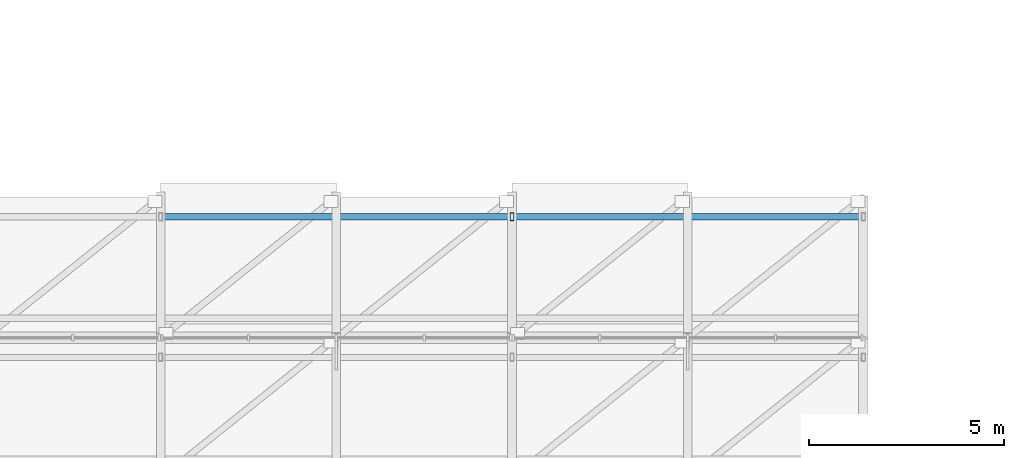
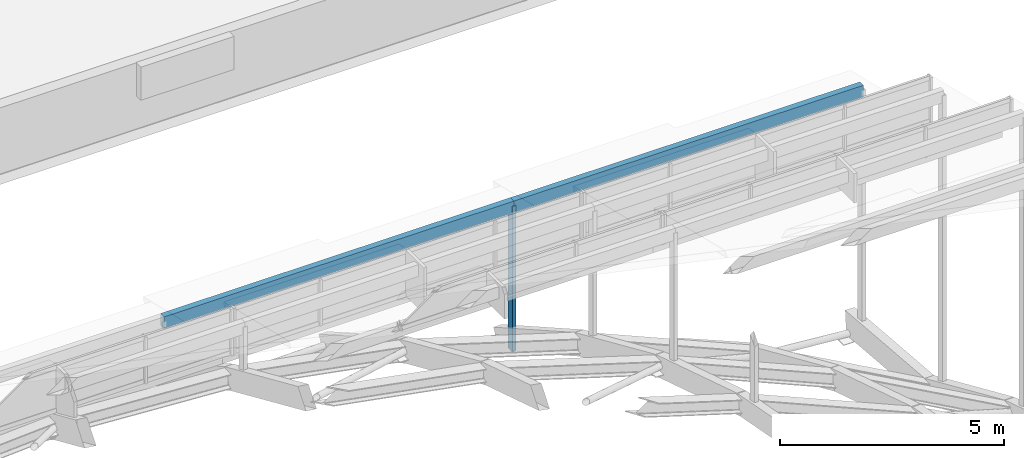
# One storey, part 34 of 69: 3 members.
"""IFC4 building model written with IfcOpenShell, lengths in metres."""

from ifc_helpers import new_model, si_unit, direction, frame, origin, origin_2d, place, context, subcontext, project, spatial, rectangle, hollow_rectangle, extrude, material, material_profile, profile_set, type_object, element, save


model = new_model("IFC4")

# Units and contexts
model_context = context("Model", 3, precision=1e-05, world=origin(), true_north=direction((0.0, 1.0)))
body_context = subcontext(model_context, "Body", "Model", "MODEL_VIEW")
ifc_project = project(units=[si_unit("LENGTHUNIT", "METRE"), si_unit("AREAUNIT", "SQUARE_METRE"), si_unit("VOLUMEUNIT", "CUBIC_METRE"), si_unit("PLANEANGLEUNIT", "RADIAN"), si_unit("MASSUNIT", "GRAM", prefix="KILO")], contexts=[model_context])

# Site, building, storey
site_placement = place(None, origin())
site = spatial("IfcSite", under=ifc_project, at=site_placement, CompositionType="ELEMENT")
building_placement = place(site_placement, origin())
building = spatial("IfcBuilding", under=site, at=building_placement, Name="Montealbar Specialist Clinic", CompositionType="ELEMENT")
storey_placement = place(building_placement, frame((0.0, 0.0, 9.60009765625)))
storey = spatial("IfcBuildingStorey", under=building, at=storey_placement, Name="L02", CompositionType="ELEMENT", Elevation=9.60009765625)

# Members
ifc_material_1 = material(Name="Glulam GL28h", Category="wood")
ifc_material_profile_1 = material_profile(ifc_material_1, rectangle(XDim=0.159912109375, YDim=0.320068359375, at=origin_2d()), Name="GL28h 160x320", Category="wood")
ifc_profile_set_1 = profile_set([ifc_material_profile_1], Name="Glulam GL28h")
member_type_1 = type_object("IfcMemberType", Name="MB-GS-PURLIN-GL-EXT", PredefinedType="PURLIN", material=ifc_profile_set_1)
for number, where, z_axis, x_axis, name in (
    (1, (81.0, 80.5, 6.9248046875), (1.0, 0.0, 0.0), (0.0, 1.0, 0.0), "Gridshell Glulam Purlin 10-4-2"),
    (2, (90.0, 80.5, 6.9248046875), (1.0, 0.0, 0.0), (0.0, 1.0, 0.0), "Gridshell Glulam Purlin 10-5-2"),
):
    element("IfcMember", number, at=place(storey_placement, frame(where, z_axis=z_axis, x_axis=x_axis)), inside=storey, type_object=member_type_1, Name=name, PredefinedType="PURLIN", context=body_context, shape_type="SweptSolid", body=[
        extrude(rectangle(XDim=0.159912109375, YDim=0.320068359375, at=origin_2d()), origin(), (0.0, 0.0, 1.0), 9.0),
    ])
ifc_material_2 = material(Name="Steel S355", Category="steel")
ifc_material_profile_2 = material_profile(ifc_material_2, hollow_rectangle(XDim=0.10009765625, YDim=0.199951171875, WallThickness=0.008056640625, at=origin_2d()), Name="RHS 200x100x8", Category="steel")
ifc_profile_set_2 = profile_set([ifc_material_profile_2], Name="Steel S355")
member_type_2 = type_object("IfcMemberType", Name="MB-GS-PURLIN-ST-EXT", PredefinedType="PURLIN", material=ifc_profile_set_2)
member_placement = place(storey_placement, frame((90.0, 80.5, 3.014892578125), z_axis=(0.0, 0.0, 1.0), x_axis=(1.0, 0.0, 0.0)))
element("IfcMember", 3, at=member_placement, inside=storey, type_object=member_type_2, Name="Gridshell Monitor Post 10-8", PredefinedType="PURLIN", context=body_context, shape_type="SweptSolid", body=[
    extrude(hollow_rectangle(XDim=0.10009765625, YDim=0.199951171875, WallThickness=0.008056640625, at=origin_2d()), origin(), (0.0, 0.0, 1.0), 3.951904296875),
])

save(model, "model.ifc")
